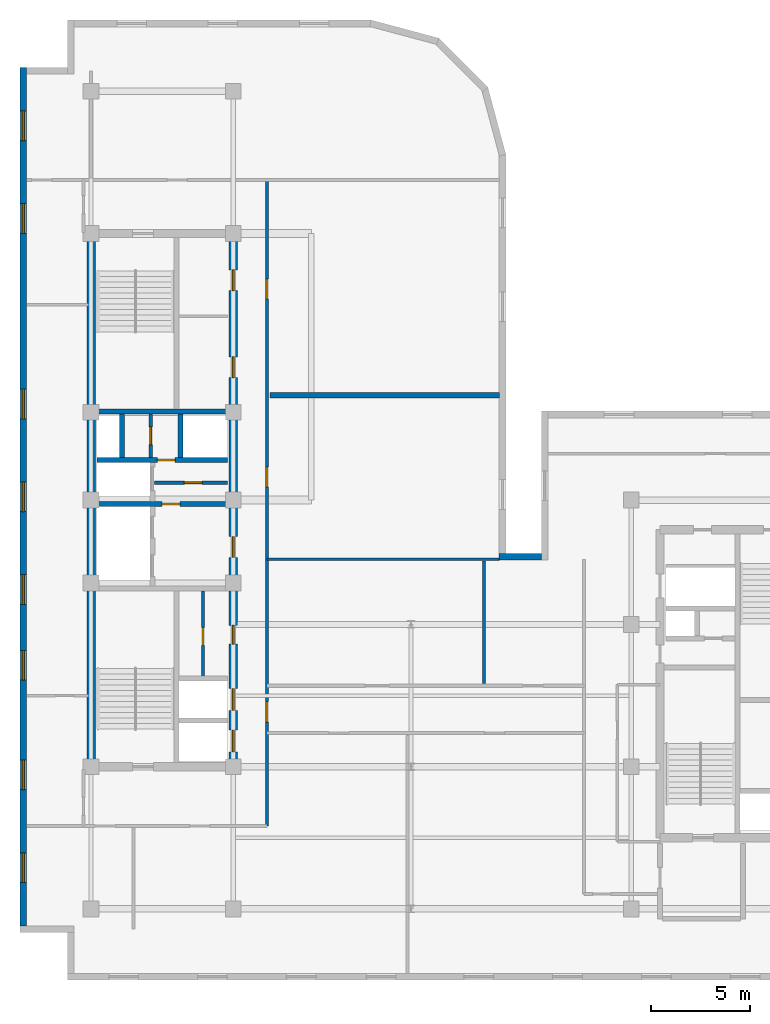
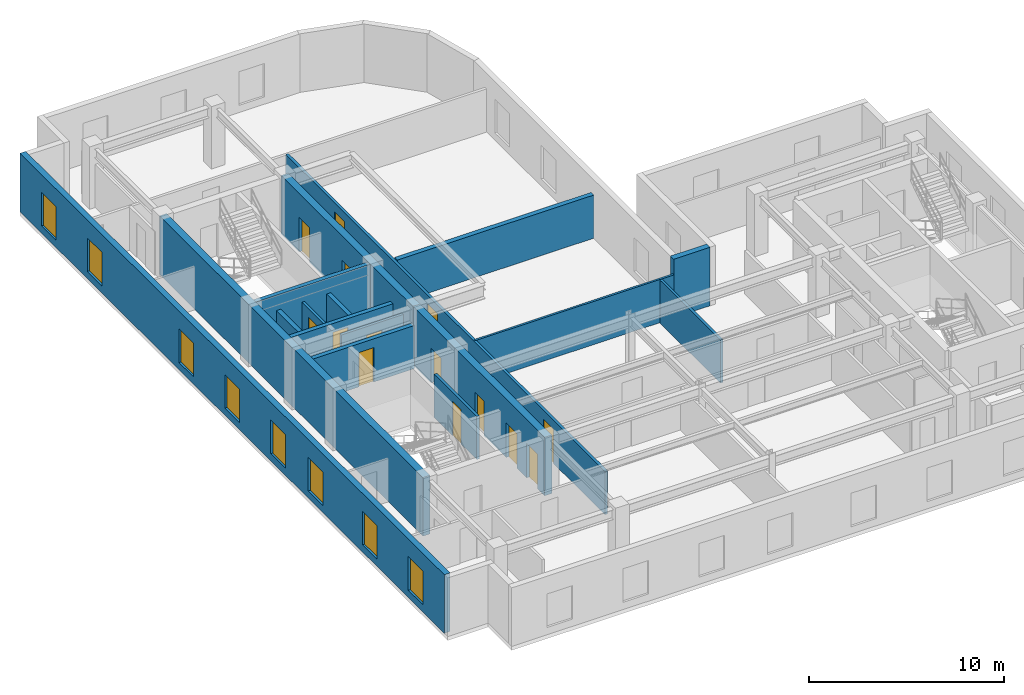
# One storey, part 4 of 9: 17 walls, 14 doors, 8 windows, 22 openings.
"""IFC4 building model written with IfcOpenShell, lengths in metres."""

from ifc_helpers import new_model, entity, si_unit, converted_unit, direction, frame, origin_with_axes, origin_2d_with_axis, place, context, subcontext, project, spatial, polyline, rectangle, outline, extrude, material, layer, layer_set, type_object, element, fill, save


model = new_model("IFC4")

# Units and contexts
model_context = context("Model", 3, precision=1e-05, world=origin_with_axes(), true_north=direction((0.0, 1.0)))
body_context = subcontext(model_context, "Body", "Model", "MODEL_VIEW")
ifc_project = project(units=[si_unit("LENGTHUNIT", "METRE"), si_unit("AREAUNIT", "SQUARE_METRE"), si_unit("VOLUMEUNIT", "CUBIC_METRE"), converted_unit("PLANEANGLEUNIT", "DEGREE", entity("IfcPlaneAngleMeasure", 0.017453292519943295), si_unit("PLANEANGLEUNIT", "RADIAN"), dimensions=[0, 0, 0, 0, 0, 0, 0]), si_unit("MASSUNIT", "GRAM", prefix="KILO"), si_unit("THERMODYNAMICTEMPERATUREUNIT", "KELVIN")], contexts=[model_context])

# Site, building, storey
site_placement = place(None, origin_with_axes())
site = spatial("IfcSite", under=ifc_project, at=site_placement, CompositionType="ELEMENT")
building_placement = place(site_placement, origin_with_axes())
building = spatial("IfcBuilding", under=site, at=building_placement, Name="Varnlund Millrace Tower", CompositionType="ELEMENT")
storey_placement = place(building_placement, frame((0.0, 0.0, 256.8), z_axis=(0.0, 0.0, 1.0), x_axis=(1.0, 0.0, 0.0)))
storey = spatial("IfcBuildingStorey", under=building, at=storey_placement, Name="L63", CompositionType="ELEMENT", Elevation=256.8)

# Wall
ifc_material_1 = material(Name="Concrete C60/75", Category="concrete")
ifc_layer_1 = layer(ifc_material_1, 0.42, Name="Concrete C60/75")
ifc_layer_set_1 = layer_set([ifc_layer_1], Name="Concrete C60/75")
wall_type_1 = type_object("IfcWallType", Name="Type-CoreWall-Shear-420-C60", PredefinedType="SHEAR", material=ifc_layer_set_1)
wall_1_placement = place(storey_placement, frame((11.4, 10.8, 0.0), z_axis=(0.0, 0.0, 1.0), x_axis=(0.0, 1.0, 0.0)))
element("IfcWall", 1, at=wall_1_placement, inside=storey, type_object=wall_type_1, Name="Type-CoreWall-Shear-420-C60", PredefinedType="SHEAR", context=body_context, shape_type="SweptSolid", body=[
    extrude(outline(polyline([(0.0, -0.21), (27.0, -0.21), (27.0, 0.21), (0.0, 0.21), (0.0, -0.21)])), origin_with_axes(), (0.0, 0.0, 1.0), 3.66),
])

# Wall, openings, doors
wall_2_placement = place(storey_placement, frame((18.6, 10.8, 0.0), z_axis=(0.0, 0.0, 1.0), x_axis=(0.0, 1.0, 0.0)))
wall_2 = element("IfcWall", 2, at=wall_2_placement, inside=storey, type_object=wall_type_1, Name="Type-CoreWall-Shear-420-C60", PredefinedType="SHEAR", context=body_context, shape_type="SweptSolid", body=[
    extrude(outline(polyline([(0.0, -0.21), (13.5, -0.21), (13.5, 0.21), (0.0, 0.21), (0.0, -0.21)])), origin_with_axes(), (0.0, 0.0, 1.0), 3.66),
])
opening_1_placement = place(wall_2_placement, frame((1.3, 0.0, 0.0), z_axis=(0.0, 0.0, 1.0), x_axis=(1.0, 0.0, 0.0)))
opening_1 = element("IfcOpeningElement", 3, at=opening_1_placement, cuts=wall_2, Name="Opening L63:LD-ELV-H1", PredefinedType="OPENING", context=body_context, shape_type="SweptSolid", body=[
    extrude(rectangle(XDim=1.1, YDim=0.44, at=origin_2d_with_axis()), origin_with_axes(), (0.0, 0.0, 1.0), 2.15),
])
opening_2_placement = place(wall_2_placement, frame((3.4, 0.0, 0.0), z_axis=(0.0, 0.0, 1.0), x_axis=(1.0, 0.0, 0.0)))
opening_2 = element("IfcOpeningElement", 4, at=opening_2_placement, cuts=wall_2, Name="Opening L63:LD-ELV-H2", PredefinedType="OPENING", context=body_context, shape_type="SweptSolid", body=[
    extrude(rectangle(XDim=1.1, YDim=0.44, at=origin_2d_with_axis()), origin_with_axes(), (0.0, 0.0, 1.0), 2.15),
])
opening_3_placement = place(wall_2_placement, frame((11.125, 0.0, 0.0), z_axis=(0.0, 0.0, 1.0), x_axis=(1.0, 0.0, 0.0)))
opening_3 = element("IfcOpeningElement", 5, at=opening_3_placement, cuts=wall_2, Name="Opening L63:DR-FFLOB-A", PredefinedType="OPENING", context=body_context, shape_type="SweptSolid", body=[
    extrude(rectangle(XDim=1.05, YDim=0.44, at=origin_2d_with_axis()), origin_with_axes(), (0.0, 0.0, 1.0), 2.15),
])
opening_4_placement = place(wall_2_placement, frame((6.675, 0.0, 0.0), z_axis=(0.0, 0.0, 1.0), x_axis=(1.0, 0.0, 0.0)))
opening_4 = element("IfcOpeningElement", 6, at=opening_4_placement, cuts=wall_2, Name="Opening L63:DR-RECL-S1B2", PredefinedType="OPENING", context=body_context, shape_type="SweptSolid", body=[
    extrude(rectangle(XDim=0.95, YDim=0.44, at=origin_2d_with_axis()), origin_with_axes(), (0.0, 0.0, 1.0), 2.15),
])
ifc_material_2 = material(Name="Smoke-barrier hollow steel fire door", Category="steel")
door_type_1 = type_object("IfcDoorType", Name="Type-FireDoor-Lobby-1050X2150", OperationType="NOTDEFINED", PredefinedType="DOOR", material=ifc_material_2)
door_1_placement = place(wall_2_placement, frame((11.125, 0.0, 0.0), z_axis=(0.0, 0.0, 1.0), x_axis=(1.0, 0.0, 0.0)))
door_1 = element("IfcDoor", 7, at=door_1_placement, inside=storey, type_object=door_type_1, Name="Type-FireDoor-Lobby-1050X2150", OperationType="SINGLE_SWING_LEFT", OverallHeight=2.15, OverallWidth=1.05, PredefinedType="DOOR", context=body_context, shape_type="SweptSolid", body=[
    extrude(rectangle(XDim=1.05, YDim=0.09, at=origin_2d_with_axis()), origin_with_axes(), (0.0, 0.0, 1.0), 2.15),
])
fill(opening_3, door_1)
ifc_material_3 = material(Name="Fire-rated hollow steel core service door", Category="steel")
door_type_2 = type_object("IfcDoorType", Name="Type-FireDoor-Service-950X2150", OperationType="NOTDEFINED", PredefinedType="DOOR", material=ifc_material_3)
door_2_placement = place(wall_2_placement, frame((6.675, 0.0, 0.0), z_axis=(0.0, 0.0, 1.0), x_axis=(1.0, 0.0, 0.0)))
door_2 = element("IfcDoor", 8, at=door_2_placement, inside=storey, type_object=door_type_2, Name="Type-FireDoor-Service-950X2150", OperationType="SINGLE_SWING_RIGHT", OverallHeight=2.15, OverallWidth=0.95, PredefinedType="DOOR", context=body_context, shape_type="SweptSolid", body=[
    extrude(rectangle(XDim=0.95, YDim=0.09, at=origin_2d_with_axis()), origin_with_axes(), (0.0, 0.0, 1.0), 2.15),
])
fill(opening_4, door_2)
ifc_material_4 = material(Name="Stainless and architectural bronze sliding landing door")
door_type_3 = type_object("IfcDoorType", Name="Type-LiftLandingDoor-1100X2150", OperationType="NOTDEFINED", PredefinedType="DOOR", material=ifc_material_4)
door_3_placement = place(wall_2_placement, frame((1.3, 0.0, 0.0), z_axis=(0.0, 0.0, 1.0), x_axis=(1.0, 0.0, 0.0)))
door_3 = element("IfcDoor", 9, at=door_3_placement, inside=storey, type_object=door_type_3, Name="Type-LiftLandingDoor-1100X2150", OperationType="SLIDING_TO_LEFT", OverallHeight=2.15, OverallWidth=1.1, PredefinedType="DOOR", context=body_context, shape_type="SweptSolid", body=[
    extrude(rectangle(XDim=1.1, YDim=0.09, at=origin_2d_with_axis()), origin_with_axes(), (0.0, 0.0, 1.0), 2.15),
])
fill(opening_1, door_3)
door_4_placement = place(wall_2_placement, frame((3.4, 0.0, 0.0), z_axis=(0.0, 0.0, 1.0), x_axis=(1.0, 0.0, 0.0)))
door_4 = element("IfcDoor", 10, at=door_4_placement, inside=storey, type_object=door_type_3, Name="Type-LiftLandingDoor-1100X2150", OperationType="SLIDING_TO_RIGHT", OverallHeight=2.15, OverallWidth=1.1, PredefinedType="DOOR", context=body_context, shape_type="SweptSolid", body=[
    extrude(rectangle(XDim=1.1, YDim=0.09, at=origin_2d_with_axis()), origin_with_axes(), (0.0, 0.0, 1.0), 2.15),
])
fill(opening_2, door_4)

wall_3_placement = place(storey_placement, frame((18.6, 24.3, 0.0), z_axis=(0.0, 0.0, 1.0), x_axis=(0.0, 1.0, 0.0)))
wall_3 = element("IfcWall", 11, at=wall_3_placement, inside=storey, type_object=wall_type_1, Name="Type-CoreWall-Shear-420-C60", PredefinedType="SHEAR", context=body_context, shape_type="SweptSolid", body=[
    extrude(outline(polyline([(0.0, -0.21), (13.5, -0.21), (13.5, 0.21), (0.0, 0.21), (0.0, -0.21)])), origin_with_axes(), (0.0, 0.0, 1.0), 3.66),
])
opening_5_placement = place(wall_3_placement, frame((6.725, 0.0, 0.0), z_axis=(0.0, 0.0, 1.0), x_axis=(1.0, 0.0, 0.0)))
opening_5 = element("IfcOpeningElement", 12, at=opening_5_placement, cuts=wall_3, Name="Opening L63:DR-RECL-M1", PredefinedType="OPENING", context=body_context, shape_type="SweptSolid", body=[
    extrude(rectangle(XDim=1.05, YDim=0.44, at=origin_2d_with_axis()), origin_with_axes(), (0.0, 0.0, 1.0), 2.15),
])
opening_6_placement = place(wall_3_placement, frame((11.125, 0.0, 0.0), z_axis=(0.0, 0.0, 1.0), x_axis=(1.0, 0.0, 0.0)))
opening_6 = element("IfcOpeningElement", 13, at=opening_6_placement, cuts=wall_3, Name="Opening L63:DR-RECL-M2", PredefinedType="OPENING", context=body_context, shape_type="SweptSolid", body=[
    extrude(rectangle(XDim=1.05, YDim=0.44, at=origin_2d_with_axis()), origin_with_axes(), (0.0, 0.0, 1.0), 2.15),
])
door_5_placement = place(wall_3_placement, frame((6.725, 0.0, 0.0), z_axis=(0.0, 0.0, 1.0), x_axis=(1.0, 0.0, 0.0)))
door_5 = element("IfcDoor", 14, at=door_5_placement, inside=storey, type_object=door_type_1, Name="Type-FireDoor-Lobby-1050X2150", OperationType="SINGLE_SWING_LEFT", OverallHeight=2.15, OverallWidth=1.05, PredefinedType="DOOR", context=body_context, shape_type="SweptSolid", body=[
    extrude(rectangle(XDim=1.05, YDim=0.09, at=origin_2d_with_axis()), origin_with_axes(), (0.0, 0.0, 1.0), 2.15),
])
fill(opening_5, door_5)
door_6_placement = place(wall_3_placement, frame((11.125, 0.0, 0.0), z_axis=(0.0, 0.0, 1.0), x_axis=(1.0, 0.0, 0.0)))
door_6 = element("IfcDoor", 15, at=door_6_placement, inside=storey, type_object=door_type_1, Name="Type-FireDoor-Lobby-1050X2150", OperationType="SINGLE_SWING_RIGHT", OverallHeight=2.15, OverallWidth=1.05, PredefinedType="DOOR", context=body_context, shape_type="SweptSolid", body=[
    extrude(rectangle(XDim=1.05, YDim=0.09, at=origin_2d_with_axis()), origin_with_axes(), (0.0, 0.0, 1.0), 2.15),
])
fill(opening_6, door_6)

# Wall, openings, windows
ifc_material_5 = material(Name="Precast concrete C50/60", Category="concrete")
ifc_layer_2 = layer(ifc_material_5, 0.34, Name="Precast concrete C50/60")
ifc_layer_set_2 = layer_set([ifc_layer_2], Name="Precast concrete C50/60")
wall_type_2 = type_object("IfcWallType", Name="Type-ExtWall-Precast-Upper-340", PredefinedType="SOLIDWALL", material=ifc_layer_set_2)
wall_4_placement = place(storey_placement, frame((7.97, 2.74, 0.0), z_axis=(0.0, 0.0, 1.0), x_axis=(0.0, 1.0, 0.0)))
wall_4 = element("IfcWall", 16, at=wall_4_placement, inside=storey, type_object=wall_type_2, Name="Type-ExtWall-Precast-Upper-340", PredefinedType="SOLIDWALL", context=body_context, shape_type="SweptSolid", body=[
    extrude(outline(polyline([(0.0, -0.17), (43.46, -0.17), (43.46, 0.17), (0.0, 0.17), (0.0, -0.17)])), origin_with_axes(), (0.0, 0.0, 1.0), 3.66),
])
opening_7_placement = place(wall_4_placement, frame((2.948, 0.0, 0.45), z_axis=(0.0, 0.0, 1.0), x_axis=(1.0, 0.0, 0.0)))
opening_7 = element("IfcOpeningElement", 17, at=opening_7_placement, cuts=wall_4, Name="Opening L63:WN-17", PredefinedType="OPENING", context=body_context, shape_type="SweptSolid", body=[
    extrude(rectangle(XDim=1.5, YDim=0.36, at=origin_2d_with_axis()), origin_with_axes(), (0.0, 0.0, 1.0), 2.1),
])
opening_8_placement = place(wall_4_placement, frame((7.643, 0.0, 0.45), z_axis=(0.0, 0.0, 1.0), x_axis=(1.0, 0.0, 0.0)))
opening_8 = element("IfcOpeningElement", 18, at=opening_8_placement, cuts=wall_4, Name="Opening L63:WN-18", PredefinedType="OPENING", context=body_context, shape_type="SweptSolid", body=[
    extrude(rectangle(XDim=1.5, YDim=0.36, at=origin_2d_with_axis()), origin_with_axes(), (0.0, 0.0, 1.0), 2.1),
])
opening_9_placement = place(wall_4_placement, frame((13.189, 0.0, 0.45), z_axis=(0.0, 0.0, 1.0), x_axis=(1.0, 0.0, 0.0)))
opening_9 = element("IfcOpeningElement", 19, at=opening_9_placement, cuts=wall_4, Name="Opening L63:WN-19", PredefinedType="OPENING", context=body_context, shape_type="SweptSolid", body=[
    extrude(rectangle(XDim=1.5, YDim=0.36, at=origin_2d_with_axis()), origin_with_axes(), (0.0, 0.0, 1.0), 2.1),
])
opening_10_placement = place(wall_4_placement, frame((17.034, 0.0, 0.45), z_axis=(0.0, 0.0, 1.0), x_axis=(1.0, 0.0, 0.0)))
opening_10 = element("IfcOpeningElement", 20, at=opening_10_placement, cuts=wall_4, Name="Opening L63:WN-20", PredefinedType="OPENING", context=body_context, shape_type="SweptSolid", body=[
    extrude(rectangle(XDim=1.5, YDim=0.36, at=origin_2d_with_axis()), origin_with_axes(), (0.0, 0.0, 1.0), 2.1),
])
opening_11_placement = place(wall_4_placement, frame((21.73, 0.0, 0.45), z_axis=(0.0, 0.0, 1.0), x_axis=(1.0, 0.0, 0.0)))
opening_11 = element("IfcOpeningElement", 21, at=opening_11_placement, cuts=wall_4, Name="Opening L63:WN-21", PredefinedType="OPENING", context=body_context, shape_type="SweptSolid", body=[
    extrude(rectangle(XDim=1.5, YDim=0.36, at=origin_2d_with_axis()), origin_with_axes(), (0.0, 0.0, 1.0), 2.1),
])
opening_12_placement = place(wall_4_placement, frame((26.426, 0.0, 0.45), z_axis=(0.0, 0.0, 1.0), x_axis=(1.0, 0.0, 0.0)))
opening_12 = element("IfcOpeningElement", 22, at=opening_12_placement, cuts=wall_4, Name="Opening L63:WN-22", PredefinedType="OPENING", context=body_context, shape_type="SweptSolid", body=[
    extrude(rectangle(XDim=1.5, YDim=0.36, at=origin_2d_with_axis()), origin_with_axes(), (0.0, 0.0, 1.0), 2.1),
])
opening_13_placement = place(wall_4_placement, frame((35.817, 0.0, 0.45), z_axis=(0.0, 0.0, 1.0), x_axis=(1.0, 0.0, 0.0)))
opening_13 = element("IfcOpeningElement", 23, at=opening_13_placement, cuts=wall_4, Name="Opening L63:WN-23", PredefinedType="OPENING", context=body_context, shape_type="SweptSolid", body=[
    extrude(rectangle(XDim=1.5, YDim=0.36, at=origin_2d_with_axis()), origin_with_axes(), (0.0, 0.0, 1.0), 2.1),
])
opening_14_placement = place(wall_4_placement, frame((40.512, 0.0, 0.45), z_axis=(0.0, 0.0, 1.0), x_axis=(1.0, 0.0, 0.0)))
opening_14 = element("IfcOpeningElement", 24, at=opening_14_placement, cuts=wall_4, Name="Opening L63:WN-24", PredefinedType="OPENING", context=body_context, shape_type="SweptSolid", body=[
    extrude(rectangle(XDim=1.5, YDim=0.36, at=origin_2d_with_axis()), origin_with_axes(), (0.0, 0.0, 1.0), 2.1),
])
ifc_material_6 = material(Name="Argon low-e triple glazing in thermally broken bronze frame", Category="glass")
window_type = type_object("IfcWindowType", Name="Type-Window-Punched-1500X2100", PartitioningType="SINGLE_PANEL", PredefinedType="WINDOW", material=ifc_material_6)
window_1_placement = place(wall_4_placement, frame((2.948, 0.0, 0.45), z_axis=(0.0, 0.0, 1.0), x_axis=(1.0, 0.0, 0.0)))
window_1 = element("IfcWindow", 25, at=window_1_placement, inside=storey, type_object=window_type, Name="Type-Window-Punched-1500X2100", OverallHeight=2.1, OverallWidth=1.5, PredefinedType="WINDOW", context=body_context, shape_type="SweptSolid", body=[
    extrude(rectangle(XDim=1.5, YDim=0.09, at=origin_2d_with_axis()), origin_with_axes(), (0.0, 0.0, 1.0), 2.1),
])
fill(opening_7, window_1)
window_2_placement = place(wall_4_placement, frame((7.643, 0.0, 0.45), z_axis=(0.0, 0.0, 1.0), x_axis=(1.0, 0.0, 0.0)))
window_2 = element("IfcWindow", 26, at=window_2_placement, inside=storey, type_object=window_type, Name="Type-Window-Punched-1500X2100", OverallHeight=2.1, OverallWidth=1.5, PredefinedType="WINDOW", context=body_context, shape_type="SweptSolid", body=[
    extrude(rectangle(XDim=1.5, YDim=0.09, at=origin_2d_with_axis()), origin_with_axes(), (0.0, 0.0, 1.0), 2.1),
])
fill(opening_8, window_2)
window_3_placement = place(wall_4_placement, frame((13.189, 0.0, 0.45), z_axis=(0.0, 0.0, 1.0), x_axis=(1.0, 0.0, 0.0)))
window_3 = element("IfcWindow", 27, at=window_3_placement, inside=storey, type_object=window_type, Name="Type-Window-Punched-1500X2100", OverallHeight=2.1, OverallWidth=1.5, PredefinedType="WINDOW", context=body_context, shape_type="SweptSolid", body=[
    extrude(rectangle(XDim=1.5, YDim=0.09, at=origin_2d_with_axis()), origin_with_axes(), (0.0, 0.0, 1.0), 2.1),
])
fill(opening_9, window_3)
window_4_placement = place(wall_4_placement, frame((17.034, 0.0, 0.45), z_axis=(0.0, 0.0, 1.0), x_axis=(1.0, 0.0, 0.0)))
window_4 = element("IfcWindow", 28, at=window_4_placement, inside=storey, type_object=window_type, Name="Type-Window-Punched-1500X2100", OverallHeight=2.1, OverallWidth=1.5, PredefinedType="WINDOW", context=body_context, shape_type="SweptSolid", body=[
    extrude(rectangle(XDim=1.5, YDim=0.09, at=origin_2d_with_axis()), origin_with_axes(), (0.0, 0.0, 1.0), 2.1),
])
fill(opening_10, window_4)
window_5_placement = place(wall_4_placement, frame((21.73, 0.0, 0.45), z_axis=(0.0, 0.0, 1.0), x_axis=(1.0, 0.0, 0.0)))
window_5 = element("IfcWindow", 29, at=window_5_placement, inside=storey, type_object=window_type, Name="Type-Window-Punched-1500X2100", OverallHeight=2.1, OverallWidth=1.5, PredefinedType="WINDOW", context=body_context, shape_type="SweptSolid", body=[
    extrude(rectangle(XDim=1.5, YDim=0.09, at=origin_2d_with_axis()), origin_with_axes(), (0.0, 0.0, 1.0), 2.1),
])
fill(opening_11, window_5)
window_6_placement = place(wall_4_placement, frame((26.426, 0.0, 0.45), z_axis=(0.0, 0.0, 1.0), x_axis=(1.0, 0.0, 0.0)))
window_6 = element("IfcWindow", 30, at=window_6_placement, inside=storey, type_object=window_type, Name="Type-Window-Punched-1500X2100", OverallHeight=2.1, OverallWidth=1.5, PredefinedType="WINDOW", context=body_context, shape_type="SweptSolid", body=[
    extrude(rectangle(XDim=1.5, YDim=0.09, at=origin_2d_with_axis()), origin_with_axes(), (0.0, 0.0, 1.0), 2.1),
])
fill(opening_12, window_6)
window_7_placement = place(wall_4_placement, frame((35.817, 0.0, 0.45), z_axis=(0.0, 0.0, 1.0), x_axis=(1.0, 0.0, 0.0)))
window_7 = element("IfcWindow", 31, at=window_7_placement, inside=storey, type_object=window_type, Name="Type-Window-Punched-1500X2100", OverallHeight=2.1, OverallWidth=1.5, PredefinedType="WINDOW", context=body_context, shape_type="SweptSolid", body=[
    extrude(rectangle(XDim=1.5, YDim=0.09, at=origin_2d_with_axis()), origin_with_axes(), (0.0, 0.0, 1.0), 2.1),
])
fill(opening_13, window_7)
window_8_placement = place(wall_4_placement, frame((40.512, 0.0, 0.45), z_axis=(0.0, 0.0, 1.0), x_axis=(1.0, 0.0, 0.0)))
window_8 = element("IfcWindow", 32, at=window_8_placement, inside=storey, type_object=window_type, Name="Type-Window-Punched-1500X2100", OverallHeight=2.1, OverallWidth=1.5, PredefinedType="WINDOW", context=body_context, shape_type="SweptSolid", body=[
    extrude(rectangle(XDim=1.5, YDim=0.09, at=origin_2d_with_axis()), origin_with_axes(), (0.0, 0.0, 1.0), 2.1),
])
fill(opening_14, window_8)

# Walls
wall_5_placement = place(storey_placement, frame((32.06, 21.43, 0.0), z_axis=(0.0, 0.0, 1.0), x_axis=(1.0, 0.0, 0.0)))
element("IfcWall", 33, at=wall_5_placement, inside=storey, type_object=wall_type_2, Name="Type-ExtWall-Precast-Upper-340", PredefinedType="SOLIDWALL", context=body_context, shape_type="SweptSolid", body=[
    extrude(outline(polyline([(0.0, -0.17), (2.14, -0.17), (2.14, 0.17), (0.0, 0.17), (0.0, -0.17)])), origin_with_axes(), (0.0, 0.0, 1.0), 3.66),
])
ifc_material_7 = material(Name="Double-stud STC-60 conference acoustic partition", Category="gypsum")
ifc_layer_3 = layer(ifc_material_7, 0.28, Name="Double-stud STC-60 conference acoustic partition")
ifc_layer_set_3 = layer_set([ifc_layer_3], Name="Double-stud STC-60 conference acoustic partition")
wall_type_3 = type_object("IfcWallType", Name="Type-Partition-Acoustic-280", PredefinedType="PARTITIONING", material=ifc_layer_set_3)
wall_6_placement = place(storey_placement, frame((20.45, 29.6, 0.0), z_axis=(0.0, 0.0, 1.0), x_axis=(1.0, 0.0, 0.0)))
element("IfcWall", 34, at=wall_6_placement, inside=storey, type_object=wall_type_3, Name="Type-Partition-Acoustic-280", PredefinedType="PARTITIONING", context=body_context, shape_type="SweptSolid", body=[
    extrude(outline(polyline([(0.0, -0.14), (11.615, -0.14), (11.615, 0.14), (0.0, 0.14), (0.0, -0.14)])), origin_with_axes(), (0.0, 0.0, 1.0), 2.7),
])

# Wall, opening, door
ifc_material_8 = material(Name="Fire-rated gypsum board on cold-formed steel framing", Category="steel")
ifc_layer_4 = layer(ifc_material_8, 0.16, Name="Fire-rated gypsum board on cold-formed steel framing")
ifc_layer_set_4 = layer_set([ifc_layer_4], Name="Fire-rated gypsum board on cold-formed steel framing")
wall_type_4 = type_object("IfcWallType", Name="Type-Partition-Corridor-160", PredefinedType="PARTITIONING", material=ifc_layer_set_4)
wall_7_placement = place(storey_placement, frame((14.62, 25.18, 0.0), z_axis=(0.0, 0.0, 1.0), x_axis=(1.0, 0.0, 0.0)))
wall_7 = element("IfcWall", 35, at=wall_7_placement, inside=storey, type_object=wall_type_4, Name="Type-Partition-Corridor-160", PredefinedType="PARTITIONING", context=body_context, shape_type="SweptSolid", body=[
    extrude(outline(polyline([(0.0, -0.08), (3.68, -0.08), (3.68, 0.08), (0.0, 0.08), (0.0, -0.08)])), origin_with_axes(), (0.0, 0.0, 1.0), 2.7),
])
opening_15_placement = place(wall_7_placement, frame((1.95, 0.0, 0.0), z_axis=(0.0, 0.0, 1.0), x_axis=(1.0, 0.0, 0.0)))
opening_15 = element("IfcOpeningElement", 36, at=opening_15_placement, cuts=wall_7, Name="Opening L63:DR-CA-SUB2", PredefinedType="OPENING", context=body_context, shape_type="SweptSolid", body=[
    extrude(rectangle(XDim=0.9, YDim=0.18, at=origin_2d_with_axis()), origin_with_axes(), (0.0, 0.0, 1.0), 2.15),
])
ifc_material_9 = material(Name="Painted steel riser and closet door", Category="steel")
door_type_4 = type_object("IfcDoorType", Name="Type-IntDoor-Closet-900X2150", OperationType="NOTDEFINED", PredefinedType="DOOR", material=ifc_material_9)
door_7_placement = place(wall_7_placement, frame((1.95, 0.0, 0.0), z_axis=(0.0, 0.0, 1.0), x_axis=(1.0, 0.0, 0.0)))
door_7 = element("IfcDoor", 37, at=door_7_placement, inside=storey, type_object=door_type_4, Name="Type-IntDoor-Closet-900X2150", OperationType="SINGLE_SWING_LEFT", OverallHeight=2.15, OverallWidth=0.9, PredefinedType="DOOR", context=body_context, shape_type="SweptSolid", body=[
    extrude(rectangle(XDim=0.9, YDim=0.09, at=origin_2d_with_axis()), origin_with_axes(), (0.0, 0.0, 1.0), 2.15),
])
fill(opening_15, door_7)

wall_8_placement = place(storey_placement, frame((14.42, 26.45, 0.0), z_axis=(0.0, 0.0, 1.0), x_axis=(0.0, 1.0, 0.0)))
wall_8 = element("IfcWall", 38, at=wall_8_placement, inside=storey, type_object=wall_type_4, Name="Type-Partition-Corridor-160", PredefinedType="PARTITIONING", context=body_context, shape_type="SweptSolid", body=[
    extrude(outline(polyline([(0.0, -0.08), (2.2, -0.08), (2.2, 0.08), (0.0, 0.08), (0.0, -0.08)])), origin_with_axes(), (0.0, 0.0, 1.0), 2.7),
])
opening_16_placement = place(wall_8_placement, frame((1.1, 0.0, 0.0), z_axis=(0.0, 0.0, 1.0), x_axis=(1.0, 0.0, 0.0)))
opening_16 = element("IfcOpeningElement", 39, at=opening_16_placement, cuts=wall_8, Name="Opening L63:DR-CA-EL2", PredefinedType="OPENING", context=body_context, shape_type="SweptSolid", body=[
    extrude(rectangle(XDim=0.9, YDim=0.18, at=origin_2d_with_axis()), origin_with_axes(), (0.0, 0.0, 1.0), 2.15),
])
door_8_placement = place(wall_8_placement, frame((1.1, 0.0, 0.0), z_axis=(0.0, 0.0, 1.0), x_axis=(1.0, 0.0, 0.0)))
door_8 = element("IfcDoor", 40, at=door_8_placement, inside=storey, type_object=door_type_4, Name="Type-IntDoor-Closet-900X2150", OperationType="SINGLE_SWING_LEFT", OverallHeight=2.15, OverallWidth=0.9, PredefinedType="DOOR", context=body_context, shape_type="SweptSolid", body=[
    extrude(rectangle(XDim=0.9, YDim=0.09, at=origin_2d_with_axis()), origin_with_axes(), (0.0, 0.0, 1.0), 2.15),
])
fill(opening_16, door_8)

wall_9_placement = place(storey_placement, frame((17.07, 15.34, 0.0), z_axis=(0.0, 0.0, 1.0), x_axis=(0.0, 1.0, 0.0)))
wall_9 = element("IfcWall", 41, at=wall_9_placement, inside=storey, type_object=wall_type_4, Name="Type-Partition-Corridor-160", PredefinedType="PARTITIONING", context=body_context, shape_type="SweptSolid", body=[
    extrude(outline(polyline([(0.0, -0.08), (4.36, -0.08), (4.36, 0.08), (0.0, 0.08), (0.0, -0.08)])), origin_with_axes(), (0.0, 0.0, 1.0), 2.7),
])
opening_17_placement = place(wall_9_placement, frame((2.05, 0.0, 0.0), z_axis=(0.0, 0.0, 1.0), x_axis=(1.0, 0.0, 0.0)))
opening_17 = element("IfcOpeningElement", 42, at=opening_17_placement, cuts=wall_9, Name="Opening L63:DR-RECL-S1B1", PredefinedType="OPENING", context=body_context, shape_type="SweptSolid", body=[
    extrude(rectangle(XDim=0.9, YDim=0.18, at=origin_2d_with_axis()), origin_with_axes(), (0.0, 0.0, 1.0), 2.15),
])
door_9_placement = place(wall_9_placement, frame((2.05, 0.0, 0.0), z_axis=(0.0, 0.0, 1.0), x_axis=(1.0, 0.0, 0.0)))
door_9 = element("IfcDoor", 43, at=door_9_placement, inside=storey, type_object=door_type_4, Name="Type-IntDoor-Closet-900X2150", OperationType="SINGLE_SWING_LEFT", OverallHeight=2.15, OverallWidth=0.9, PredefinedType="DOOR", context=body_context, shape_type="SweptSolid", body=[
    extrude(rectangle(XDim=0.9, YDim=0.09, at=origin_2d_with_axis()), origin_with_axes(), (0.0, 0.0, 1.0), 2.15),
])
fill(opening_17, door_9)

# Wall, openings, doors
wall_10_placement = place(storey_placement, frame((20.3, 7.8, 0.0), z_axis=(0.0, 0.0, 1.0), x_axis=(0.0, 1.0, 0.0)))
wall_10 = element("IfcWall", 44, at=wall_10_placement, inside=storey, type_object=wall_type_4, Name="Type-Partition-Corridor-160", PredefinedType="PARTITIONING", context=body_context, shape_type="SweptSolid", body=[
    extrude(outline(polyline([(0.0, -0.08), (32.7, -0.08), (32.7, 0.08), (0.0, 0.08), (0.0, -0.08)])), origin_with_axes(), (0.0, 0.0, 1.0), 2.7),
])
opening_18_placement = place(wall_10_placement, frame((17.665, 0.0, 0.0), z_axis=(0.0, 0.0, 1.0), x_axis=(1.0, 0.0, 0.0)))
opening_18 = element("IfcOpeningElement", 45, at=opening_18_placement, cuts=wall_10, Name="Opening L63:DR-FLR-01", PredefinedType="OPENING", context=body_context, shape_type="SweptSolid", body=[
    extrude(rectangle(XDim=1.0, YDim=0.18, at=origin_2d_with_axis()), origin_with_axes(), (0.0, 0.0, 1.0), 2.15),
])
opening_19_placement = place(wall_10_placement, frame((27.185, 0.0, 0.0), z_axis=(0.0, 0.0, 1.0), x_axis=(1.0, 0.0, 0.0)))
opening_19 = element("IfcOpeningElement", 46, at=opening_19_placement, cuts=wall_10, Name="Opening L63:DR-FLR-02", PredefinedType="OPENING", context=body_context, shape_type="SweptSolid", body=[
    extrude(rectangle(XDim=1.0, YDim=0.18, at=origin_2d_with_axis()), origin_with_axes(), (0.0, 0.0, 1.0), 2.15),
])
opening_20_placement = place(wall_10_placement, frame((5.775, 0.0, 0.0), z_axis=(0.0, 0.0, 1.0), x_axis=(1.0, 0.0, 0.0)))
opening_20 = element("IfcOpeningElement", 47, at=opening_20_placement, cuts=wall_10, Name="Opening L63:DR-KN-W", PredefinedType="OPENING", context=body_context, shape_type="SweptSolid", body=[
    extrude(rectangle(XDim=1.05, YDim=0.18, at=origin_2d_with_axis()), origin_with_axes(), (0.0, 0.0, 1.0), 2.15),
])
door_10_placement = place(wall_10_placement, frame((5.775, 0.0, 0.0), z_axis=(0.0, 0.0, 1.0), x_axis=(1.0, 0.0, 0.0)))
door_10 = element("IfcDoor", 48, at=door_10_placement, inside=storey, type_object=door_type_1, Name="Type-FireDoor-Lobby-1050X2150", OperationType="SINGLE_SWING_LEFT", OverallHeight=2.15, OverallWidth=1.05, PredefinedType="DOOR", context=body_context, shape_type="SweptSolid", body=[
    extrude(rectangle(XDim=1.05, YDim=0.09, at=origin_2d_with_axis()), origin_with_axes(), (0.0, 0.0, 1.0), 2.15),
])
fill(opening_20, door_10)
ifc_material_10 = material(Name="Solid-core white oak and bronze frame door")
door_type_5 = type_object("IfcDoorType", Name="Type-IntDoor-Office-1000X2150", OperationType="NOTDEFINED", PredefinedType="DOOR", material=ifc_material_10)
door_11_placement = place(wall_10_placement, frame((17.665, 0.0, 0.0), z_axis=(0.0, 0.0, 1.0), x_axis=(1.0, 0.0, 0.0)))
door_11 = element("IfcDoor", 49, at=door_11_placement, inside=storey, type_object=door_type_5, Name="Type-IntDoor-Office-1000X2150", OperationType="SINGLE_SWING_LEFT", OverallHeight=2.15, OverallWidth=1.0, PredefinedType="DOOR", context=body_context, shape_type="SweptSolid", body=[
    extrude(rectangle(XDim=1.0, YDim=0.09, at=origin_2d_with_axis()), origin_with_axes(), (0.0, 0.0, 1.0), 2.15),
])
fill(opening_18, door_11)
door_12_placement = place(wall_10_placement, frame((27.185, 0.0, 0.0), z_axis=(0.0, 0.0, 1.0), x_axis=(1.0, 0.0, 0.0)))
door_12 = element("IfcDoor", 50, at=door_12_placement, inside=storey, type_object=door_type_5, Name="Type-IntDoor-Office-1000X2150", OperationType="SINGLE_SWING_RIGHT", OverallHeight=2.15, OverallWidth=1.0, PredefinedType="DOOR", context=body_context, shape_type="SweptSolid", body=[
    extrude(rectangle(XDim=1.0, YDim=0.09, at=origin_2d_with_axis()), origin_with_axes(), (0.0, 0.0, 1.0), 2.15),
])
fill(opening_19, door_12)

# Walls
ifc_material_11 = material(Name="Acoustic STC-50 gypsum board partition", Category="gypsum")
ifc_layer_5 = layer(ifc_material_11, 0.15, Name="Acoustic STC-50 gypsum board partition")
ifc_layer_set_5 = layer_set([ifc_layer_5], Name="Acoustic STC-50 gypsum board partition")
wall_type_5 = type_object("IfcWallType", Name="Type-Partition-Demising-150", PredefinedType="PARTITIONING", material=ifc_layer_set_5)
wall_11_placement = place(storey_placement, frame((31.284, 15.02, 0.0), z_axis=(0.0, 0.0, 1.0), x_axis=(0.0, 1.0, 0.0)))
element("IfcWall", 51, at=wall_11_placement, inside=storey, type_object=wall_type_5, Name="Type-Partition-Demising-150", PredefinedType="PARTITIONING", context=body_context, shape_type="SweptSolid", body=[
    extrude(outline(polyline([(0.0, -0.075), (6.2, -0.075), (6.2, 0.075), (0.0, 0.075), (0.0, -0.075)])), origin_with_axes(), (0.0, 0.0, 1.0), 2.7),
])
ifc_material_12 = material(Name="Gypsum board tenant partition", Category="gypsum")
ifc_layer_6 = layer(ifc_material_12, 0.125, Name="Gypsum board tenant partition")
ifc_layer_set_6 = layer_set([ifc_layer_6], Name="Gypsum board tenant partition")
wall_type_6 = type_object("IfcWallType", Name="Type-Partition-Tenant-125", PredefinedType="PARTITIONING", material=ifc_layer_set_6)
wall_12_placement = place(storey_placement, frame((20.3, 21.3, 0.0), z_axis=(0.0, 0.0, 1.0), x_axis=(1.0, 0.0, 0.0)))
element("IfcWall", 52, at=wall_12_placement, inside=storey, type_object=wall_type_6, Name="Type-Partition-Tenant-125", PredefinedType="PARTITIONING", context=body_context, shape_type="SweptSolid", body=[
    extrude(outline(polyline([(0.0, -0.0625), (11.765, -0.0625), (11.765, 0.0625), (0.0, 0.0625), (0.0, -0.0625)])), origin_with_axes(), (0.0, 0.0, 1.0), 2.7),
])

# Wall, opening, door
ifc_layer_7 = layer(ifc_material_1, 0.25, Name="Concrete C60/75")
ifc_layer_set_7 = layer_set([ifc_layer_7], Name="Concrete C60/75")
wall_type_7 = type_object("IfcWallType", Name="Type-ShaftWall-Fire-250", PredefinedType="SOLIDWALL", material=ifc_layer_set_7)
wall_13_placement = place(storey_placement, frame((11.7, 24.1, 0.0), z_axis=(0.0, 0.0, 1.0), x_axis=(1.0, 0.0, 0.0)))
wall_13 = element("IfcWall", 53, at=wall_13_placement, inside=storey, type_object=wall_type_7, Name="Type-ShaftWall-Fire-250", PredefinedType="SOLIDWALL", context=body_context, shape_type="SweptSolid", body=[
    extrude(outline(polyline([(0.0, -0.125), (6.6, -0.125), (6.6, 0.125), (0.0, 0.125), (0.0, -0.125)])), origin_with_axes(), (0.0, 0.0, 1.0), 2.7),
])
opening_21_placement = place(wall_13_placement, frame((3.75, 0.0, 0.0), z_axis=(0.0, 0.0, 1.0), x_axis=(1.0, 0.0, 0.0)))
opening_21 = element("IfcOpeningElement", 54, at=opening_21_placement, cuts=wall_13, Name="Opening L63:DR-CA-SUB1", PredefinedType="OPENING", context=body_context, shape_type="SweptSolid", body=[
    extrude(rectangle(XDim=0.9, YDim=0.27, at=origin_2d_with_axis()), origin_with_axes(), (0.0, 0.0, 1.0), 2.15),
])
ifc_material_13 = material(Name="Fire-rated hollow steel service closet door", Category="steel")
door_type_6 = type_object("IfcDoorType", Name="Type-FireDoor-Closet-900X2150", OperationType="NOTDEFINED", PredefinedType="DOOR", material=ifc_material_13)
door_13_placement = place(wall_13_placement, frame((3.75, 0.0, 0.0), z_axis=(0.0, 0.0, 1.0), x_axis=(1.0, 0.0, 0.0)))
door_13 = element("IfcDoor", 55, at=door_13_placement, inside=storey, type_object=door_type_6, Name="Type-FireDoor-Closet-900X2150", OperationType="SINGLE_SWING_LEFT", OverallHeight=2.15, OverallWidth=0.9, PredefinedType="DOOR", context=body_context, shape_type="SweptSolid", body=[
    extrude(rectangle(XDim=0.9, YDim=0.09, at=origin_2d_with_axis()), origin_with_axes(), (0.0, 0.0, 1.0), 2.15),
])
fill(opening_21, door_13)

wall_14_placement = place(storey_placement, frame((11.7, 26.325, 0.0), z_axis=(0.0, 0.0, 1.0), x_axis=(1.0, 0.0, 0.0)))
wall_14 = element("IfcWall", 56, at=wall_14_placement, inside=storey, type_object=wall_type_7, Name="Type-ShaftWall-Fire-250", PredefinedType="SOLIDWALL", context=body_context, shape_type="SweptSolid", body=[
    extrude(outline(polyline([(0.0, -0.125), (6.6, -0.125), (6.6, 0.125), (0.0, 0.125), (0.0, -0.125)])), origin_with_axes(), (0.0, 0.0, 1.0), 2.7),
])
opening_22_placement = place(wall_14_placement, frame((3.5, 0.0, 0.0), z_axis=(0.0, 0.0, 1.0), x_axis=(1.0, 0.0, 0.0)))
opening_22 = element("IfcOpeningElement", 57, at=opening_22_placement, cuts=wall_14, Name="Opening L63:DR-CA-EL1", PredefinedType="OPENING", context=body_context, shape_type="SweptSolid", body=[
    extrude(rectangle(XDim=0.9, YDim=0.27, at=origin_2d_with_axis()), origin_with_axes(), (0.0, 0.0, 1.0), 2.15),
])
door_14_placement = place(wall_14_placement, frame((3.5, 0.0, 0.0), z_axis=(0.0, 0.0, 1.0), x_axis=(1.0, 0.0, 0.0)))
door_14 = element("IfcDoor", 58, at=door_14_placement, inside=storey, type_object=door_type_6, Name="Type-FireDoor-Closet-900X2150", OperationType="SINGLE_SWING_LEFT", OverallHeight=2.15, OverallWidth=0.9, PredefinedType="DOOR", context=body_context, shape_type="SweptSolid", body=[
    extrude(rectangle(XDim=0.9, YDim=0.09, at=origin_2d_with_axis()), origin_with_axes(), (0.0, 0.0, 1.0), 2.15),
])
fill(opening_22, door_14)

# Walls
for number, where, z_axis, x_axis, name in (
    (59, (12.96, 26.45, 0.0), (0.0, 0.0, 1.0), (0.0, 1.0, 0.0), "Type-ShaftWall-Fire-250"),
    (60, (15.925, 26.45, 0.0), (0.0, 0.0, 1.0), (0.0, 1.0, 0.0), "Type-ShaftWall-Fire-250"),
):
    element("IfcWall", number, at=place(storey_placement, frame(where, z_axis=z_axis, x_axis=x_axis)), inside=storey, type_object=wall_type_7, Name=name, PredefinedType="SOLIDWALL", context=body_context, shape_type="SweptSolid", body=[
        extrude(outline(polyline([(0.0, -0.125), (2.2, -0.125), (2.2, 0.125), (0.0, 0.125), (0.0, -0.125)])), origin_with_axes(), (0.0, 0.0, 1.0), 2.7),
    ])
wall_type_8 = type_object("IfcWallType", Name="Type-StairWall-Shear-250", PredefinedType="SHEAR", material=ifc_layer_set_7)
wall_15_placement = place(storey_placement, frame((11.61, 28.775, 0.0), z_axis=(0.0, 0.0, 1.0), x_axis=(1.0, 0.0, 0.0)))
element("IfcWall", 61, at=wall_15_placement, inside=storey, type_object=wall_type_8, Name="Type-StairWall-Shear-250", PredefinedType="SHEAR", context=body_context, shape_type="SweptSolid", body=[
    extrude(outline(polyline([(0.0, -0.125), (6.78, -0.125), (6.78, 0.125), (0.0, 0.125), (0.0, -0.125)])), origin_with_axes(), (0.0, 0.0, 1.0), 3.66),
])

save(model, "model.ifc")
